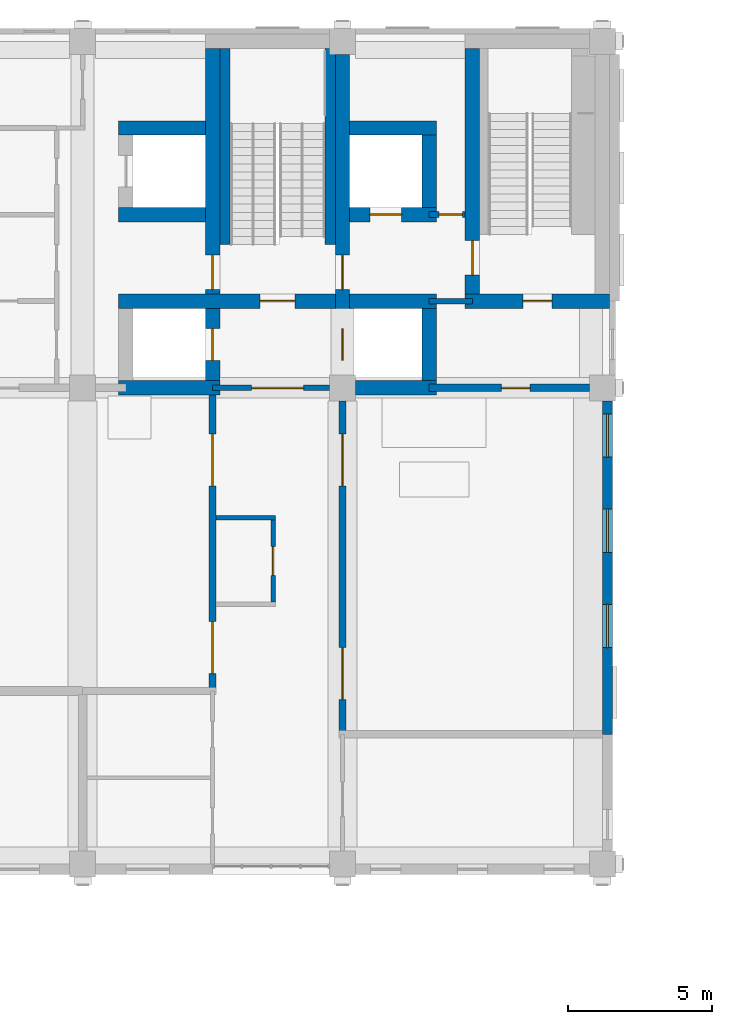
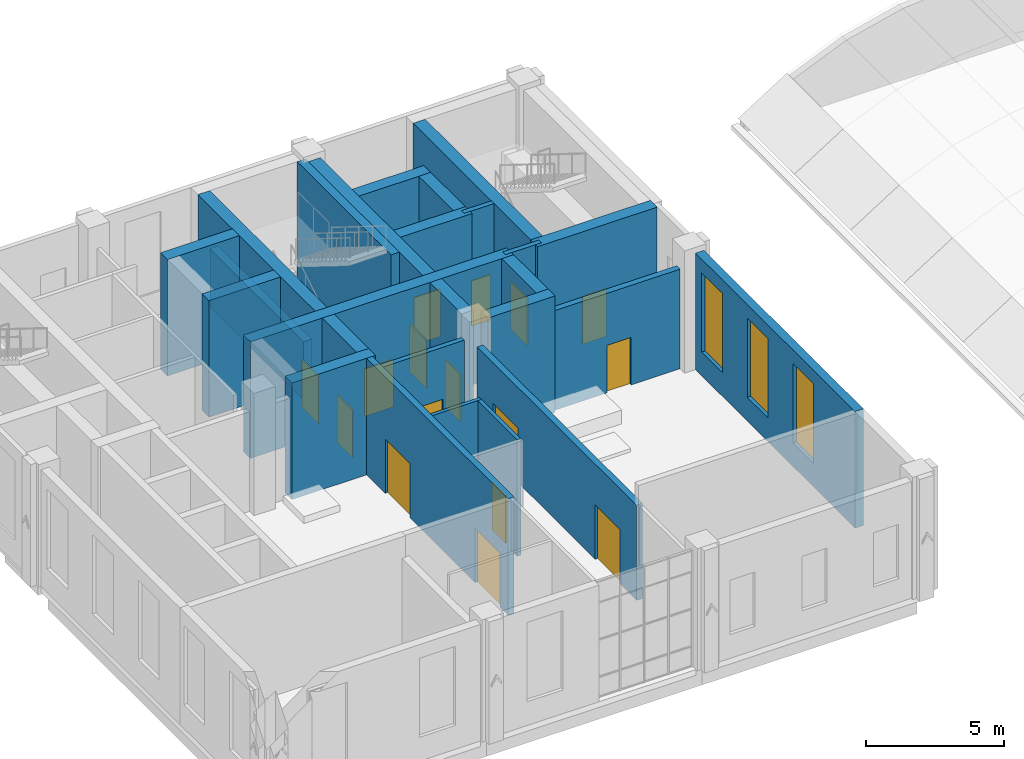
# One storey, part 17 of 25: 24 walls, 16 doors, 3 windows, 19 openings.
"""IFC4 building model written with IfcOpenShell, lengths in metres."""

from ifc_helpers import new_model, si_unit, direction, frame, frame_2d, origin, place, context, subcontext, project, spatial, rectangle, extrude, material, layer, layer_set, type_object, element, fill, save


model = new_model("IFC4")

# Units and contexts
model_context = context("Model", 3, precision=1e-05, world=origin(), true_north=direction((0.0, 1.0)))
body_context = subcontext(model_context, "Body", "Model", "MODEL_VIEW")
ifc_project = project(units=[si_unit("LENGTHUNIT", "METRE"), si_unit("AREAUNIT", "SQUARE_METRE"), si_unit("VOLUMEUNIT", "CUBIC_METRE"), si_unit("PLANEANGLEUNIT", "RADIAN"), si_unit("MASSUNIT", "GRAM", prefix="KILO")], contexts=[model_context])

# Site, building, storey
site_placement = place(None, origin())
site = spatial("IfcSite", under=ifc_project, at=site_placement, CompositionType="ELEMENT")
building_placement = place(site_placement, origin())
building = spatial("IfcBuilding", under=site, at=building_placement, Name="Aurelan Courthouse", CompositionType="ELEMENT")
storey_placement = place(building_placement, frame((0.0, 0.0, 33.60009765625)))
storey = spatial("IfcBuildingStorey", under=building, at=storey_placement, Name="L06", CompositionType="ELEMENT", Elevation=33.60009765625)

# Wall
ifc_material_1 = material(Name="Gypsum board on metal studs")
ifc_layer_1 = layer(ifc_material_1, 0.14990234375)
ifc_layer_set_1 = layer_set([ifc_layer_1], Name="Gypsum board on metal studs")
wall_type_1 = type_object("IfcWallType", Name="Corridor partition 150 EI 60", PredefinedType="PARTITIONING", material=ifc_layer_set_1)
wall_1_placement = place(storey_placement, frame((49.625, 49.5, 0.0), z_axis=(0.0, 0.0, 1.0), x_axis=(1.0, 0.0, 0.0)))
element("IfcWall", 1, at=wall_1_placement, inside=storey, type_object=wall_type_1, Name="Corridor partition L06-019", PredefinedType="PARTITIONING", context=body_context, shape_type="SweptSolid", body=[
    extrude(rectangle(XDim=2.050048828125, YDim=0.14990234375, at=frame_2d((1.02490234375, 0.0))), origin(), (0.0, 0.0, 1.0), 5.14990234375),
])

# Wall, opening, door
wall_2_placement = place(storey_placement, frame((51.60009765625, 46.574951171875, 0.0), z_axis=(0.0, 0.0, 1.0), x_axis=(0.0, 1.0, 0.0)))
wall_2 = element("IfcWall", 2, at=wall_2_placement, inside=storey, type_object=wall_type_1, Name="Corridor partition L06-046", PredefinedType="PARTITIONING", context=body_context, shape_type="SweptSolid", body=[
    extrude(rectangle(XDim=2.85009765625, YDim=0.14990234375, at=frame_2d((1.425048828125, 0.0))), origin(), (0.0, 0.0, 1.0), 5.14990234375),
])
opening_1_placement = place(wall_2_placement, frame((0.925048828125, 0.0, 0.0)))
opening_1 = element("IfcOpeningElement", 3, at=opening_1_placement, cuts=wall_2, Name="Opening D-L06-013", PredefinedType="OPENING", context=body_context, shape_type="SweptSolid", body=[
    extrude(rectangle(XDim=1.0, YDim=2.10009765625, at=frame_2d((0.5, 1.050048828125))), frame((0.0, 0.0849609375, 0.0), z_axis=(0.0, -1.0, 0.0), x_axis=(1.0, 0.0, 0.0)), (0.0, 0.0, 1.0), 0.169921875),
])
ifc_material_2 = material(Name="Steel", Category="steel")
door_type_1 = type_object("IfcDoorType", Name="Single door 1000 x 2100 FD60", OperationType="SINGLE_SWING_LEFT", PredefinedType="DOOR", material=ifc_material_2)
door_1_placement = place(opening_1_placement, origin())
door_1 = element("IfcDoor", 4, at=door_1_placement, inside=storey, type_object=door_type_1, Name="Single door D-L06-013", OperationType="SINGLE_SWING_RIGHT", OverallHeight=2.10009765625, OverallWidth=1.0, PredefinedType="DOOR", context=body_context, shape_type="SweptSolid", body=[
    extrude(rectangle(XDim=1.0, YDim=2.10009765625, at=frame_2d((0.5, 1.050048828125))), frame((0.0, 0.02490234375, 0.0), z_axis=(0.0, -1.0, 0.0), x_axis=(1.0, 0.0, 0.0)), (0.0, 0.0, 1.0), 0.050048828125),
])
fill(opening_1, door_1)

# Wall, openings, windows
ifc_material_3 = material(Name="Limestone cladding", Category="masonry")
ifc_layer_2 = layer(ifc_material_3, 0.10009765625, Name="Facing")
ifc_material_4 = material(Name="Ventilated cavity")
ifc_layer_3 = layer(ifc_material_4, 0.02490234375, ventilated=True, Name="Ventilated cavity")
ifc_material_5 = material(Name="Mineral wool insulation")
ifc_layer_4 = layer(ifc_material_5, 0.050048828125, Name="Insulation")
ifc_material_6 = material(Name="Concrete C30", Category="concrete")
ifc_layer_5 = layer(ifc_material_6, 0.175048828125, Name="Structure")
ifc_layer_set_2 = layer_set([ifc_layer_2, ifc_layer_3, ifc_layer_4, ifc_layer_5], Name="Concrete C30")
wall_type_2 = type_object("IfcWallType", Name="Courtroom Block stone-faced wall 350", PredefinedType="SOLIDWALL", material=ifc_layer_set_2)
wall_3_placement = place(storey_placement, frame((63.175048828125, 42.0, 0.0), z_axis=(0.0, 0.0, 1.0), x_axis=(0.0, 1.0, 0.0)))
wall_3 = element("IfcWall", 5, at=wall_3_placement, inside=storey, type_object=wall_type_2, Name="Facade wall FW-V2-L06-008", PredefinedType="SOLIDWALL", context=body_context, shape_type="SweptSolid", body=[
    extrude(rectangle(XDim=11.550048828125, YDim=0.35009765625, at=frame_2d((5.77490234375, 0.0))), origin(), (0.0, 0.0, 1.0), 5.14990234375),
])
opening_2_placement = place(wall_3_placement, frame((3.0, 0.0, 1.050048828125)))
opening_2 = element("IfcOpeningElement", 6, at=opening_2_placement, cuts=wall_3, Name="Opening WN-V2-L06-010", PredefinedType="OPENING", context=body_context, shape_type="SweptSolid", body=[
    extrude(rectangle(XDim=1.5, YDim=3.5, at=frame_2d((0.75, 1.75))), frame((0.0, 0.18505859375, 0.0), z_axis=(0.0, -1.0, 0.0), x_axis=(1.0, 0.0, 0.0)), (0.0, 0.0, 1.0), 0.3701171875),
])
opening_3_placement = place(wall_3_placement, frame((6.300048828125, 0.0, 1.050048828125)))
opening_3 = element("IfcOpeningElement", 7, at=opening_3_placement, cuts=wall_3, Name="Opening WN-V2-L06-011", PredefinedType="OPENING", context=body_context, shape_type="SweptSolid", body=[
    extrude(rectangle(XDim=1.5, YDim=3.5, at=frame_2d((0.75, 1.75))), frame((0.0, 0.18505859375, 0.0), z_axis=(0.0, -1.0, 0.0), x_axis=(1.0, 0.0, 0.0)), (0.0, 0.0, 1.0), 0.3701171875),
])
opening_4_placement = place(wall_3_placement, frame((9.60009765625, 0.0, 1.050048828125)))
opening_4 = element("IfcOpeningElement", 8, at=opening_4_placement, cuts=wall_3, Name="Opening WN-V2-L06-012", PredefinedType="OPENING", context=body_context, shape_type="SweptSolid", body=[
    extrude(rectangle(XDim=1.5, YDim=3.5, at=frame_2d((0.75, 1.75))), frame((0.0, 0.18505859375, 0.0), z_axis=(0.0, -1.0, 0.0), x_axis=(1.0, 0.0, 0.0)), (0.0, 0.0, 1.0), 0.3701171875),
])
ifc_material_7 = material(Name="Bronze-finished aluminium and glass", Category="aluminium")
window_type = type_object("IfcWindowType", Name="Courtroom Block glazed slot 1500 x 3500, sill 1050", PartitioningType="SINGLE_PANEL", PredefinedType="WINDOW", material=ifc_material_7)
window_1_placement = place(opening_2_placement, origin())
window_1 = element("IfcWindow", 9, at=window_1_placement, inside=storey, type_object=window_type, Name="Glazed slot WN-V2-L06-010", OverallHeight=3.5, OverallWidth=1.5, PartitioningType="SINGLE_PANEL", PredefinedType="WINDOW", context=body_context, shape_type="SweptSolid", body=[
    extrude(rectangle(XDim=1.5, YDim=3.5, at=frame_2d((0.75, 1.75))), frame((0.0, 0.030029296875, 0.0), z_axis=(0.0, -1.0, 0.0), x_axis=(1.0, 0.0, 0.0)), (0.0, 0.0, 1.0), 0.06005859375),
])
fill(opening_2, window_1)
window_2_placement = place(opening_3_placement, origin())
window_2 = element("IfcWindow", 10, at=window_2_placement, inside=storey, type_object=window_type, Name="Glazed slot WN-V2-L06-011", OverallHeight=3.5, OverallWidth=1.5, PartitioningType="SINGLE_PANEL", PredefinedType="WINDOW", context=body_context, shape_type="SweptSolid", body=[
    extrude(rectangle(XDim=1.5, YDim=3.5, at=frame_2d((0.75, 1.75))), frame((0.0, 0.030029296875, 0.0), z_axis=(0.0, -1.0, 0.0), x_axis=(1.0, 0.0, 0.0)), (0.0, 0.0, 1.0), 0.06005859375),
])
fill(opening_3, window_2)
window_3_placement = place(opening_4_placement, origin())
window_3 = element("IfcWindow", 11, at=window_3_placement, inside=storey, type_object=window_type, Name="Glazed slot WN-V2-L06-012", OverallHeight=3.5, OverallWidth=1.5, PartitioningType="SINGLE_PANEL", PredefinedType="WINDOW", context=body_context, shape_type="SweptSolid", body=[
    extrude(rectangle(XDim=1.5, YDim=3.5, at=frame_2d((0.75, 1.75))), frame((0.0, 0.030029296875, 0.0), z_axis=(0.0, -1.0, 0.0), x_axis=(1.0, 0.0, 0.0)), (0.0, 0.0, 1.0), 0.06005859375),
])
fill(opening_4, window_3)

# Wall, opening, door
ifc_material_8 = material(Name="Masonry block", Category="masonry")
ifc_layer_6 = layer(ifc_material_8, 0.25)
ifc_layer_set_3 = layer_set([ifc_layer_6], Name="Masonry block")
wall_type_3 = type_object("IfcWallType", Name="Courtroom wall 250 EI 60", PredefinedType="PARTITIONING", material=ifc_layer_set_3)
wall_4_placement = place(storey_placement, frame((57.0, 54.0, 0.0), z_axis=(0.0, 0.0, 1.0), x_axis=(1.0, 0.0, 0.0)))
wall_4 = element("IfcWall", 12, at=wall_4_placement, inside=storey, type_object=wall_type_3, Name="Courtroom wall L06-024", PredefinedType="PARTITIONING", context=body_context, shape_type="SweptSolid", body=[
    extrude(rectangle(XDim=5.550048828125, YDim=0.25, at=frame_2d((2.77490234375, 0.0))), origin(), (0.0, 0.0, 1.0), 4.39990234375),
])
opening_5_placement = place(wall_4_placement, frame((2.5, 0.0, 0.0)))
opening_5 = element("IfcOpeningElement", 13, at=opening_5_placement, cuts=wall_4, Name="Opening D-L06-034", PredefinedType="OPENING", context=body_context, shape_type="SweptSolid", body=[
    extrude(rectangle(XDim=1.0, YDim=2.10009765625, at=frame_2d((0.5, 1.050048828125))), frame((0.0, 0.135009765625, 0.0), z_axis=(0.0, -1.0, 0.0), x_axis=(1.0, 0.0, 0.0)), (0.0, 0.0, 1.0), 0.27001953125),
])
door_type_2 = type_object("IfcDoorType", Name="Single door 1000 x 2100 FD30", OperationType="SINGLE_SWING_LEFT", PredefinedType="DOOR", material=ifc_material_2)
door_2_placement = place(opening_5_placement, origin())
door_2 = element("IfcDoor", 14, at=door_2_placement, inside=storey, type_object=door_type_2, Name="Single door D-L06-034", OperationType="SINGLE_SWING_LEFT", OverallHeight=2.10009765625, OverallWidth=1.0, PredefinedType="DOOR", context=body_context, shape_type="SweptSolid", body=[
    extrude(rectangle(XDim=1.0, YDim=2.10009765625, at=frame_2d((0.5, 1.050048828125))), frame((0.0, 0.02490234375, 0.0), z_axis=(0.0, -1.0, 0.0), x_axis=(1.0, 0.0, 0.0)), (0.0, 0.0, 1.0), 0.050048828125),
])
fill(opening_5, door_2)

# Wall, openings, doors
wall_5_placement = place(storey_placement, frame((49.5, 43.5, 0.0), z_axis=(0.0, 0.0, 1.0), x_axis=(0.0, 1.0, 0.0)))
wall_5 = element("IfcWall", 15, at=wall_5_placement, inside=storey, type_object=wall_type_3, Name="Courtroom wall L06-045", PredefinedType="PARTITIONING", context=body_context, shape_type="SweptSolid", body=[
    extrude(rectangle(XDim=10.5, YDim=0.25, at=frame_2d((5.25, 0.0))), origin(), (0.0, 0.0, 1.0), 5.14990234375),
])
opening_6_placement = place(wall_5_placement, frame((0.60009765625, 0.0, 0.0)))
opening_6 = element("IfcOpeningElement", 16, at=opening_6_placement, cuts=wall_5, Name="Opening D-L06-014", PredefinedType="OPENING", context=body_context, shape_type="SweptSolid", body=[
    extrude(rectangle(XDim=1.800048828125, YDim=2.39990234375, at=frame_2d((0.89990234375, 1.199951171875))), frame((0.0, 0.135009765625, 0.0), z_axis=(0.0, -1.0, 0.0), x_axis=(1.0, 0.0, 0.0)), (0.0, 0.0, 1.0), 0.27001953125),
])
opening_7_placement = place(wall_5_placement, frame((7.10009765625, 0.0, 0.0)))
opening_7 = element("IfcOpeningElement", 17, at=opening_7_placement, cuts=wall_5, Name="Opening D-L06-015", PredefinedType="OPENING", context=body_context, shape_type="SweptSolid", body=[
    extrude(rectangle(XDim=1.800048828125, YDim=2.39990234375, at=frame_2d((0.89990234375, 1.199951171875))), frame((0.0, 0.135009765625, 0.0), z_axis=(0.0, -1.0, 0.0), x_axis=(1.0, 0.0, 0.0)), (0.0, 0.0, 1.0), 0.27001953125),
])
door_type_3 = type_object("IfcDoorType", Name="Double door 1800 x 2400 FD30", OperationType="DOUBLE_DOOR_SINGLE_SWING", PredefinedType="DOOR", material=ifc_material_2)
door_3_placement = place(opening_6_placement, origin())
door_3 = element("IfcDoor", 18, at=door_3_placement, inside=storey, type_object=door_type_3, Name="Double door D-L06-014", OperationType="DOUBLE_DOOR_SINGLE_SWING", OverallHeight=2.39990234375, OverallWidth=1.800048828125, PredefinedType="DOOR", context=body_context, shape_type="SweptSolid", body=[
    extrude(rectangle(XDim=1.800048828125, YDim=2.39990234375, at=frame_2d((0.89990234375, 1.199951171875))), frame((0.0, 0.02490234375, 0.0), z_axis=(0.0, -1.0, 0.0), x_axis=(1.0, 0.0, 0.0)), (0.0, 0.0, 1.0), 0.050048828125),
])
fill(opening_6, door_3)
door_4_placement = place(opening_7_placement, origin())
door_4 = element("IfcDoor", 19, at=door_4_placement, inside=storey, type_object=door_type_3, Name="Double door D-L06-015", OperationType="DOUBLE_DOOR_SINGLE_SWING", OverallHeight=2.39990234375, OverallWidth=1.800048828125, PredefinedType="DOOR", context=body_context, shape_type="SweptSolid", body=[
    extrude(rectangle(XDim=1.800048828125, YDim=2.39990234375, at=frame_2d((0.89990234375, 1.199951171875))), frame((0.0, 0.02490234375, 0.0), z_axis=(0.0, -1.0, 0.0), x_axis=(1.0, 0.0, 0.0)), (0.0, 0.0, 1.0), 0.050048828125),
])
fill(opening_7, door_4)

wall_6_placement = place(storey_placement, frame((54.0, 42.0, 0.0), z_axis=(0.0, 0.0, 1.0), x_axis=(0.0, 1.0, 0.0)))
wall_6 = element("IfcWall", 20, at=wall_6_placement, inside=storey, type_object=wall_type_3, Name="Courtroom wall L06-048", PredefinedType="PARTITIONING", context=body_context, shape_type="SweptSolid", body=[
    extrude(rectangle(XDim=11.550048828125, YDim=0.25, at=frame_2d((5.77490234375, 0.0))), origin(), (0.0, 0.0, 1.0), 4.199951171875),
])
opening_8_placement = place(wall_6_placement, frame((3.0, 0.0, 0.0), z_axis=(0.0, 0.0, 1.0), x_axis=(-1.0, 0.0, 0.0)))
opening_8 = element("IfcOpeningElement", 21, at=opening_8_placement, cuts=wall_6, Name="Opening D-L06-025", PredefinedType="OPENING", context=body_context, shape_type="SweptSolid", body=[
    extrude(rectangle(XDim=1.800048828125, YDim=2.39990234375, at=frame_2d((0.89990234375, 1.199951171875))), frame((0.0, 0.135009765625, 0.0), z_axis=(0.0, -1.0, 0.0), x_axis=(1.0, 0.0, 0.0)), (0.0, 0.0, 1.0), 0.27001953125),
])
opening_9_placement = place(wall_6_placement, frame((10.400146484375, 0.0, 0.0), z_axis=(0.0, 0.0, 1.0), x_axis=(-1.0, 0.0, 0.0)))
opening_9 = element("IfcOpeningElement", 22, at=opening_9_placement, cuts=wall_6, Name="Opening D-L06-026", PredefinedType="OPENING", context=body_context, shape_type="SweptSolid", body=[
    extrude(rectangle(XDim=1.800048828125, YDim=2.39990234375, at=frame_2d((0.89990234375, 1.199951171875))), frame((0.0, 0.135009765625, 0.0), z_axis=(0.0, -1.0, 0.0), x_axis=(1.0, 0.0, 0.0)), (0.0, 0.0, 1.0), 0.27001953125),
])
door_5_placement = place(opening_8_placement, origin())
door_5 = element("IfcDoor", 23, at=door_5_placement, inside=storey, type_object=door_type_3, Name="Double door D-L06-025", OperationType="DOUBLE_DOOR_SINGLE_SWING", OverallHeight=2.39990234375, OverallWidth=1.800048828125, PredefinedType="DOOR", context=body_context, shape_type="SweptSolid", body=[
    extrude(rectangle(XDim=1.800048828125, YDim=2.39990234375, at=frame_2d((0.89990234375, 1.199951171875))), frame((0.0, 0.02490234375, 0.0), z_axis=(0.0, -1.0, 0.0), x_axis=(1.0, 0.0, 0.0)), (0.0, 0.0, 1.0), 0.050048828125),
])
fill(opening_8, door_5)
door_6_placement = place(opening_9_placement, origin())
door_6 = element("IfcDoor", 24, at=door_6_placement, inside=storey, type_object=door_type_3, Name="Double door D-L06-026", OperationType="DOUBLE_DOOR_SINGLE_SWING", OverallHeight=2.39990234375, OverallWidth=1.800048828125, PredefinedType="DOOR", context=body_context, shape_type="SweptSolid", body=[
    extrude(rectangle(XDim=1.800048828125, YDim=2.39990234375, at=frame_2d((0.89990234375, 1.199951171875))), frame((0.0, 0.02490234375, 0.0), z_axis=(0.0, -1.0, 0.0), x_axis=(1.0, 0.0, 0.0)), (0.0, 0.0, 1.0), 0.050048828125),
])
fill(opening_9, door_6)

# Wall, opening, door
ifc_layer_7 = layer(ifc_material_8, 0.199951171875)
ifc_layer_set_4 = layer_set([ifc_layer_7], Name="Masonry block")
wall_type_4 = type_object("IfcWallType", Name="Lift lobby wall 200 EI 60", PredefinedType="PARTITIONING", material=ifc_layer_set_4)
wall_7_placement = place(storey_placement, frame((49.5, 54.0, 0.0), z_axis=(0.0, 0.0, 1.0), x_axis=(1.0, 0.0, 0.0)))
wall_7 = element("IfcWall", 25, at=wall_7_placement, inside=storey, type_object=wall_type_4, Name="Lift lobby wall L06-023", PredefinedType="PARTITIONING", context=body_context, shape_type="SweptSolid", body=[
    extrude(rectangle(XDim=4.050048828125, YDim=0.199951171875, at=frame_2d((2.02490234375, 0.0))), origin(), (0.0, 0.0, 1.0), 4.39990234375),
])
opening_10_placement = place(wall_7_placement, frame((1.35009765625, 0.0, 0.0)))
opening_10 = element("IfcOpeningElement", 26, at=opening_10_placement, cuts=wall_7, Name="Opening D-L06-012", PredefinedType="OPENING", context=body_context, shape_type="SweptSolid", body=[
    extrude(rectangle(XDim=1.800048828125, YDim=2.10009765625, at=frame_2d((0.89990234375, 1.050048828125))), frame((0.0, 0.10986328125, 0.0), z_axis=(0.0, -1.0, 0.0), x_axis=(1.0, 0.0, 0.0)), (0.0, 0.0, 1.0), 0.219970703125),
])
door_type_4 = type_object("IfcDoorType", Name="Double door 1800 x 2100 FD60", OperationType="DOUBLE_DOOR_SINGLE_SWING", PredefinedType="DOOR", material=ifc_material_2)
door_7_placement = place(opening_10_placement, origin())
door_7 = element("IfcDoor", 27, at=door_7_placement, inside=storey, type_object=door_type_4, Name="Double door D-L06-012", OperationType="DOUBLE_DOOR_SINGLE_SWING", OverallHeight=2.10009765625, OverallWidth=1.800048828125, PredefinedType="DOOR", context=body_context, shape_type="SweptSolid", body=[
    extrude(rectangle(XDim=1.800048828125, YDim=2.10009765625, at=frame_2d((0.89990234375, 1.050048828125))), frame((0.0, 0.02490234375, 0.0), z_axis=(0.0, -1.0, 0.0), x_axis=(1.0, 0.0, 0.0)), (0.0, 0.0, 1.0), 0.050048828125),
])
fill(opening_10, door_7)

# Walls
wall_8_placement = place(storey_placement, frame((57.0, 57.0, 0.0), z_axis=(0.0, 0.0, 1.0), x_axis=(1.0, 0.0, 0.0)))
element("IfcWall", 28, at=wall_8_placement, inside=storey, type_object=wall_type_4, Name="Lift lobby wall L06-026", PredefinedType="PARTITIONING", context=body_context, shape_type="SweptSolid", body=[
    extrude(rectangle(XDim=1.5, YDim=0.199951171875, at=frame_2d((0.75, 0.0))), origin(), (0.0, 0.0, 1.0), 5.14990234375),
])
ifc_material_9 = material(Name="Concrete C50", Category="concrete")
ifc_layer_8 = layer(ifc_material_9, 0.5)
ifc_layer_set_5 = layer_set([ifc_layer_8], Name="Concrete C50")
wall_type_5 = type_object("IfcWallType", Name="RC shear wall 500", PredefinedType="SHEAR", material=ifc_layer_set_5)
wall_9_placement = place(storey_placement, frame((46.25, 54.0, 0.0), z_axis=(0.0, 0.0, 1.0), x_axis=(1.0, 0.0, 0.0)))
element("IfcWall", 29, at=wall_9_placement, inside=storey, type_object=wall_type_5, Name="Core wall SW-L06-017", PredefinedType="SHEAR", context=body_context, shape_type="SweptSolid", body=[
    extrude(rectangle(XDim=3.5, YDim=0.5, at=frame_2d((1.75, 0.0))), origin(), (0.0, 0.0, 1.0), 5.14990234375),
])
wall_10_placement = place(storey_placement, frame((54.449951171875, 54.0, 0.0), z_axis=(0.0, 0.0, 1.0), x_axis=(1.0, 0.0, 0.0)))
element("IfcWall", 30, at=wall_10_placement, inside=storey, type_object=wall_type_5, Name="Core wall SW-L06-018", PredefinedType="SHEAR", context=body_context, shape_type="SweptSolid", body=[
    extrude(rectangle(XDim=2.800048828125, YDim=0.5, at=frame_2d((1.39990234375, 0.0))), origin(), (0.0, 0.0, 1.0), 5.14990234375),
])

# Wall, openings, doors
wall_11_placement = place(storey_placement, frame((49.5, 54.25, 0.0), z_axis=(0.0, 0.0, 1.0), x_axis=(0.0, 1.0, 0.0)))
wall_11 = element("IfcWall", 31, at=wall_11_placement, inside=storey, type_object=wall_type_5, Name="Core wall SW-L06-022", PredefinedType="SHEAR", context=body_context, shape_type="SweptSolid", body=[
    extrude(rectangle(XDim=11.5, YDim=0.5, at=frame_2d((5.75, 0.0))), origin(), (0.0, 0.0, 1.0), 5.14990234375),
])
opening_11_placement = place(wall_11_placement, frame((0.699951171875, 0.0, 0.0)))
opening_11 = element("IfcOpeningElement", 32, at=opening_11_placement, cuts=wall_11, Name="Opening LD-V2-P1-L06", PredefinedType="OPENING", context=body_context, shape_type="SweptSolid", body=[
    extrude(rectangle(XDim=1.10009765625, YDim=2.10009765625, at=frame_2d((0.550048828125, 1.050048828125))), frame((0.0, 0.260009765625, 0.0), z_axis=(0.0, -1.0, 0.0), x_axis=(1.0, 0.0, 0.0)), (0.0, 0.0, 1.0), 0.52001953125),
])
opening_12_placement = place(wall_11_placement, frame((4.349853515625, 0.0, 0.0), z_axis=(0.0, 0.0, 1.0), x_axis=(-1.0, 0.0, 0.0)))
opening_12 = element("IfcOpeningElement", 33, at=opening_12_placement, cuts=wall_11, Name="Opening D-L06-011", PredefinedType="OPENING", context=body_context, shape_type="SweptSolid", body=[
    extrude(rectangle(XDim=1.199951171875, YDim=2.10009765625, at=frame_2d((0.60009765625, 1.050048828125))), frame((0.0, 0.260009765625, 0.0), z_axis=(0.0, -1.0, 0.0), x_axis=(1.0, 0.0, 0.0)), (0.0, 0.0, 1.0), 0.52001953125),
])
door_type_5 = type_object("IfcDoorType", Name="Lift landing door 1100 x 2100 FD90", OperationType="SLIDING_TO_LEFT", PredefinedType="DOOR", material=ifc_material_2)
door_8_placement = place(opening_11_placement, origin())
door_8 = element("IfcDoor", 34, at=door_8_placement, inside=storey, type_object=door_type_5, Name="Lift landing door LD-V2-P1-L06", OperationType="SLIDING_TO_LEFT", OverallHeight=2.10009765625, OverallWidth=1.10009765625, PredefinedType="DOOR", context=body_context, shape_type="SweptSolid", body=[
    extrude(rectangle(XDim=1.10009765625, YDim=2.10009765625, at=frame_2d((0.550048828125, 1.050048828125))), frame((0.0, 0.02490234375, 0.0), z_axis=(0.0, -1.0, 0.0), x_axis=(1.0, 0.0, 0.0)), (0.0, 0.0, 1.0), 0.050048828125),
])
fill(opening_11, door_8)
door_type_6 = type_object("IfcDoorType", Name="Single door 1200 x 2100 FD90", OperationType="SINGLE_SWING_LEFT", PredefinedType="DOOR", material=ifc_material_2)
door_9_placement = place(opening_12_placement, origin())
door_9 = element("IfcDoor", 35, at=door_9_placement, inside=storey, type_object=door_type_6, Name="Single door D-L06-011", OperationType="SINGLE_SWING_RIGHT", OverallHeight=2.10009765625, OverallWidth=1.199951171875, PredefinedType="DOOR", context=body_context, shape_type="SweptSolid", body=[
    extrude(rectangle(XDim=1.199951171875, YDim=2.10009765625, at=frame_2d((0.60009765625, 1.050048828125))), frame((0.0, 0.02490234375, 0.0), z_axis=(0.0, -1.0, 0.0), x_axis=(1.0, 0.0, 0.0)), (0.0, 0.0, 1.0), 0.050048828125),
])
fill(opening_12, door_9)

# Wall
wall_12_placement = place(storey_placement, frame((57.0, 54.25, 0.0), z_axis=(0.0, 0.0, 1.0), x_axis=(0.0, 1.0, 0.0)))
element("IfcWall", 36, at=wall_12_placement, inside=storey, type_object=wall_type_5, Name="Core wall SW-L06-023", PredefinedType="SHEAR", context=body_context, shape_type="SweptSolid", body=[
    extrude(rectangle(XDim=2.5, YDim=0.5, at=frame_2d((1.25, 0.0))), origin(), (0.0, 0.0, 1.0), 5.14990234375),
])

# Wall, openings, doors
wall_13_placement = place(storey_placement, frame((54.0, 54.449951171875, 0.0), z_axis=(0.0, 0.0, 1.0), x_axis=(0.0, 1.0, 0.0)))
wall_13 = element("IfcWall", 37, at=wall_13_placement, inside=storey, type_object=wall_type_5, Name="Core wall SW-L06-024", PredefinedType="SHEAR", context=body_context, shape_type="SweptSolid", body=[
    extrude(rectangle(XDim=11.10009765625, YDim=0.5, at=frame_2d((5.550048828125, 0.0))), origin(), (0.0, 0.0, 1.0), 5.14990234375),
])
opening_13_placement = place(wall_13_placement, frame((0.5, 0.0, 0.0)))
opening_13 = element("IfcOpeningElement", 38, at=opening_13_placement, cuts=wall_13, Name="Opening LD-V2-P2-L06", PredefinedType="OPENING", context=body_context, shape_type="SweptSolid", body=[
    extrude(rectangle(XDim=1.10009765625, YDim=2.10009765625, at=frame_2d((0.550048828125, 1.050048828125))), frame((0.0, 0.260009765625, 0.0), z_axis=(0.0, -1.0, 0.0), x_axis=(1.0, 0.0, 0.0)), (0.0, 0.0, 1.0), 0.52001953125),
])
opening_14_placement = place(wall_13_placement, frame((2.949951171875, 0.0, 0.0)))
opening_14 = element("IfcOpeningElement", 39, at=opening_14_placement, cuts=wall_13, Name="Opening D-L06-007", PredefinedType="OPENING", context=body_context, shape_type="SweptSolid", body=[
    extrude(rectangle(XDim=1.199951171875, YDim=2.10009765625, at=frame_2d((0.60009765625, 1.050048828125))), frame((0.0, 0.260009765625, 0.0), z_axis=(0.0, -1.0, 0.0), x_axis=(1.0, 0.0, 0.0)), (0.0, 0.0, 1.0), 0.52001953125),
])
door_10_placement = place(opening_13_placement, origin())
door_10 = element("IfcDoor", 40, at=door_10_placement, inside=storey, type_object=door_type_5, Name="Lift landing door LD-V2-P2-L06", OperationType="SLIDING_TO_LEFT", OverallHeight=2.10009765625, OverallWidth=1.10009765625, PredefinedType="DOOR", context=body_context, shape_type="SweptSolid", body=[
    extrude(rectangle(XDim=1.10009765625, YDim=2.10009765625, at=frame_2d((0.550048828125, 1.050048828125))), frame((0.0, 0.02490234375, 0.0), z_axis=(0.0, -1.0, 0.0), x_axis=(1.0, 0.0, 0.0)), (0.0, 0.0, 1.0), 0.050048828125),
])
fill(opening_13, door_10)
door_11_placement = place(opening_14_placement, origin())
door_11 = element("IfcDoor", 41, at=door_11_placement, inside=storey, type_object=door_type_6, Name="Single door D-L06-007", OperationType="SINGLE_SWING_LEFT", OverallHeight=2.10009765625, OverallWidth=1.199951171875, PredefinedType="DOOR", context=body_context, shape_type="SweptSolid", body=[
    extrude(rectangle(XDim=1.199951171875, YDim=2.10009765625, at=frame_2d((0.60009765625, 1.050048828125))), frame((0.0, 0.02490234375, 0.0), z_axis=(0.0, -1.0, 0.0), x_axis=(1.0, 0.0, 0.0)), (0.0, 0.0, 1.0), 0.050048828125),
])
fill(opening_14, door_11)

# Wall, opening, door
wall_14_placement = place(storey_placement, frame((46.25, 57.0, 0.0), z_axis=(0.0, 0.0, 1.0), x_axis=(1.0, 0.0, 0.0)))
wall_14 = element("IfcWall", 42, at=wall_14_placement, inside=storey, type_object=wall_type_5, Name="Core wall SW-L06-026", PredefinedType="SHEAR", context=body_context, shape_type="SweptSolid", body=[
    extrude(rectangle(XDim=11.0, YDim=0.5, at=frame_2d((5.5, 0.0))), origin(), (0.0, 0.0, 1.0), 5.14990234375),
])
opening_15_placement = place(wall_14_placement, frame((4.89990234375, 0.0, 0.0)))
opening_15 = element("IfcOpeningElement", 43, at=opening_15_placement, cuts=wall_14, Name="Opening D-L06-005", PredefinedType="OPENING", context=body_context, shape_type="SweptSolid", body=[
    extrude(rectangle(XDim=1.199951171875, YDim=2.10009765625, at=frame_2d((0.60009765625, 1.050048828125))), frame((0.0, 0.260009765625, 0.0), z_axis=(0.0, -1.0, 0.0), x_axis=(1.0, 0.0, 0.0)), (0.0, 0.0, 1.0), 0.52001953125),
])
door_12_placement = place(opening_15_placement, origin())
door_12 = element("IfcDoor", 44, at=door_12_placement, inside=storey, type_object=door_type_6, Name="Single door D-L06-005", OperationType="SINGLE_SWING_RIGHT", OverallHeight=2.10009765625, OverallWidth=1.199951171875, PredefinedType="DOOR", context=body_context, shape_type="SweptSolid", body=[
    extrude(rectangle(XDim=1.199951171875, YDim=2.10009765625, at=frame_2d((0.60009765625, 1.050048828125))), frame((0.0, 0.02490234375, 0.0), z_axis=(0.0, -1.0, 0.0), x_axis=(1.0, 0.0, 0.0)), (0.0, 0.0, 1.0), 0.050048828125),
])
fill(opening_15, door_12)

wall_15_placement = place(storey_placement, frame((58.25, 57.0, 0.0), z_axis=(0.0, 0.0, 1.0), x_axis=(1.0, 0.0, 0.0)))
wall_15 = element("IfcWall", 45, at=wall_15_placement, inside=storey, type_object=wall_type_5, Name="Core wall SW-L06-027", PredefinedType="SHEAR", context=body_context, shape_type="SweptSolid", body=[
    extrude(rectangle(XDim=5.0, YDim=0.5, at=frame_2d((2.5, 0.0))), origin(), (0.0, 0.0, 1.0), 5.14990234375),
])
opening_16_placement = place(wall_15_placement, frame((2.0, 0.0, 0.0)))
opening_16 = element("IfcOpeningElement", 46, at=opening_16_placement, cuts=wall_15, Name="Opening D-L06-033", PredefinedType="OPENING", context=body_context, shape_type="SweptSolid", body=[
    extrude(rectangle(XDim=1.0, YDim=2.10009765625, at=frame_2d((0.5, 1.050048828125))), frame((0.0, 0.260009765625, 0.0), z_axis=(0.0, -1.0, 0.0), x_axis=(1.0, 0.0, 0.0)), (0.0, 0.0, 1.0), 0.52001953125),
])
door_type_7 = type_object("IfcDoorType", Name="Single door 1000 x 2100 FD90", OperationType="SINGLE_SWING_LEFT", PredefinedType="DOOR", material=ifc_material_2)
door_13_placement = place(opening_16_placement, origin())
door_13 = element("IfcDoor", 47, at=door_13_placement, inside=storey, type_object=door_type_7, Name="Single door D-L06-033", OperationType="SINGLE_SWING_RIGHT", OverallHeight=2.10009765625, OverallWidth=1.0, PredefinedType="DOOR", context=body_context, shape_type="SweptSolid", body=[
    extrude(rectangle(XDim=1.0, YDim=2.10009765625, at=frame_2d((0.5, 1.050048828125))), frame((0.0, 0.02490234375, 0.0), z_axis=(0.0, -1.0, 0.0), x_axis=(1.0, 0.0, 0.0)), (0.0, 0.0, 1.0), 0.050048828125),
])
fill(opening_16, door_13)

wall_16_placement = place(storey_placement, frame((58.5, 57.25, 0.0), z_axis=(0.0, 0.0, 1.0), x_axis=(0.0, 1.0, 0.0)))
wall_16 = element("IfcWall", 48, at=wall_16_placement, inside=storey, type_object=wall_type_5, Name="Core wall SW-L06-029", PredefinedType="SHEAR", context=body_context, shape_type="SweptSolid", body=[
    extrude(rectangle(XDim=8.5, YDim=0.5, at=frame_2d((4.25, 0.0))), origin(), (0.0, 0.0, 1.0), 5.14990234375),
])
opening_17_placement = place(wall_16_placement, frame((1.849853515625, 0.0, 0.0), z_axis=(0.0, 0.0, 1.0), x_axis=(-1.0, 0.0, 0.0)))
opening_17 = element("IfcOpeningElement", 49, at=opening_17_placement, cuts=wall_16, Name="Opening D-L06-008", PredefinedType="OPENING", context=body_context, shape_type="SweptSolid", body=[
    extrude(rectangle(XDim=1.199951171875, YDim=2.10009765625, at=frame_2d((0.60009765625, 1.050048828125))), frame((0.0, 0.260009765625, 0.0), z_axis=(0.0, -1.0, 0.0), x_axis=(1.0, 0.0, 0.0)), (0.0, 0.0, 1.0), 0.52001953125),
])
door_14_placement = place(opening_17_placement, origin())
door_14 = element("IfcDoor", 50, at=door_14_placement, inside=storey, type_object=door_type_6, Name="Single door D-L06-008", OperationType="SINGLE_SWING_RIGHT", OverallHeight=2.10009765625, OverallWidth=1.199951171875, PredefinedType="DOOR", context=body_context, shape_type="SweptSolid", body=[
    extrude(rectangle(XDim=1.199951171875, YDim=2.10009765625, at=frame_2d((0.60009765625, 1.050048828125))), frame((0.0, 0.02490234375, 0.0), z_axis=(0.0, -1.0, 0.0), x_axis=(1.0, 0.0, 0.0)), (0.0, 0.0, 1.0), 0.050048828125),
])
fill(opening_17, door_14)

# Wall
wall_17_placement = place(storey_placement, frame((46.25, 60.0, 0.0), z_axis=(0.0, 0.0, 1.0), x_axis=(1.0, 0.0, 0.0)))
element("IfcWall", 51, at=wall_17_placement, inside=storey, type_object=wall_type_5, Name="Core wall SW-L06-031", PredefinedType="SHEAR", context=body_context, shape_type="SweptSolid", body=[
    extrude(rectangle(XDim=3.0, YDim=0.5, at=frame_2d((1.5, 0.0))), origin(), (0.0, 0.0, 1.0), 5.14990234375),
])

# Wall, opening, door
wall_18_placement = place(storey_placement, frame((54.25, 60.0, 0.0), z_axis=(0.0, 0.0, 1.0), x_axis=(1.0, 0.0, 0.0)))
wall_18 = element("IfcWall", 52, at=wall_18_placement, inside=storey, type_object=wall_type_5, Name="Core wall SW-L06-032", PredefinedType="SHEAR", context=body_context, shape_type="SweptSolid", body=[
    extrude(rectangle(XDim=3.0, YDim=0.5, at=frame_2d((1.5, 0.0))), origin(), (0.0, 0.0, 1.0), 5.14990234375),
])
opening_18_placement = place(wall_18_placement, frame((0.699951171875, 0.0, 0.0)))
opening_18 = element("IfcOpeningElement", 53, at=opening_18_placement, cuts=wall_18, Name="Opening LD-V2-F1-L06", PredefinedType="OPENING", context=body_context, shape_type="SweptSolid", body=[
    extrude(rectangle(XDim=1.10009765625, YDim=2.10009765625, at=frame_2d((0.550048828125, 1.050048828125))), frame((0.0, 0.260009765625, 0.0), z_axis=(0.0, -1.0, 0.0), x_axis=(1.0, 0.0, 0.0)), (0.0, 0.0, 1.0), 0.52001953125),
])
door_15_placement = place(opening_18_placement, origin())
door_15 = element("IfcDoor", 54, at=door_15_placement, inside=storey, type_object=door_type_5, Name="Lift landing door LD-V2-F1-L06", OperationType="SLIDING_TO_LEFT", OverallHeight=2.10009765625, OverallWidth=1.10009765625, PredefinedType="DOOR", context=body_context, shape_type="SweptSolid", body=[
    extrude(rectangle(XDim=1.10009765625, YDim=2.10009765625, at=frame_2d((0.550048828125, 1.050048828125))), frame((0.0, 0.02490234375, 0.0), z_axis=(0.0, -1.0, 0.0), x_axis=(1.0, 0.0, 0.0)), (0.0, 0.0, 1.0), 0.050048828125),
])
fill(opening_18, door_15)

# Walls
wall_19_placement = place(storey_placement, frame((57.0, 60.25, 0.0), z_axis=(0.0, 0.0, 1.0), x_axis=(0.0, 1.0, 0.0)))
element("IfcWall", 55, at=wall_19_placement, inside=storey, type_object=wall_type_5, Name="Core wall SW-L06-034", PredefinedType="SHEAR", context=body_context, shape_type="SweptSolid", body=[
    extrude(rectangle(XDim=2.5, YDim=0.5, at=frame_2d((1.25, 0.0))), origin(), (0.0, 0.0, 1.0), 5.14990234375),
])
for number, where, z_axis, x_axis, name in (
    (56, (46.25, 63.0, 0.0), (0.0, 0.0, 1.0), (1.0, 0.0, 0.0), "Core wall SW-L06-035"),
    (57, (54.25, 63.0, 0.0), (0.0, 0.0, 1.0), (1.0, 0.0, 0.0), "Core wall SW-L06-036"),
):
    element("IfcWall", number, at=place(storey_placement, frame(where, z_axis=z_axis, x_axis=x_axis)), inside=storey, type_object=wall_type_5, Name=name, PredefinedType="SHEAR", context=body_context, shape_type="SweptSolid", body=[
        extrude(rectangle(XDim=3.0, YDim=0.5, at=frame_2d((1.5, 0.0))), origin(), (0.0, 0.0, 1.0), 5.14990234375),
    ])

# Wall, opening, door
ifc_layer_9 = layer(ifc_material_6, 0.199951171875)
ifc_layer_set_6 = layer_set([ifc_layer_9], Name="Concrete C30")
wall_type_6 = type_object("IfcWallType", Name="Shaft wall 200 EI 120 load-bearing", PredefinedType="SHEAR", material=ifc_layer_set_6)
wall_20_placement = place(storey_placement, frame((57.0, 60.0, 0.0), z_axis=(0.0, 0.0, 1.0), x_axis=(1.0, 0.0, 0.0)))
wall_20 = element("IfcWall", 58, at=wall_20_placement, inside=storey, type_object=wall_type_6, Name="Shaft wall L06-028", PredefinedType="SHEAR", context=body_context, shape_type="SweptSolid", body=[
    extrude(rectangle(XDim=1.25, YDim=0.199951171875, at=frame_2d((0.625, 0.0))), origin(), (0.0, 0.0, 1.0), 5.14990234375),
])
opening_19_placement = place(wall_20_placement, frame((1.150146484375, 0.0, 0.0), z_axis=(0.0, 0.0, 1.0), x_axis=(-1.0, 0.0, 0.0)))
opening_19 = element("IfcOpeningElement", 59, at=opening_19_placement, cuts=wall_20, Name="Opening D-L06-009", PredefinedType="OPENING", context=body_context, shape_type="SweptSolid", body=[
    extrude(rectangle(XDim=0.800048828125, YDim=2.0, at=frame_2d((0.39990234375, 1.0))), frame((0.0, 0.10986328125, 0.0), z_axis=(0.0, -1.0, 0.0), x_axis=(1.0, 0.0, 0.0)), (0.0, 0.0, 1.0), 0.219970703125),
])
door_type_8 = type_object("IfcDoorType", Name="Single door 800 x 2000 FD90", OperationType="SINGLE_SWING_LEFT", PredefinedType="DOOR", material=ifc_material_2)
door_16_placement = place(opening_19_placement, origin())
door_16 = element("IfcDoor", 60, at=door_16_placement, inside=storey, type_object=door_type_8, Name="Single door D-L06-009", OperationType="SINGLE_SWING_LEFT", OverallHeight=2.0, OverallWidth=0.800048828125, PredefinedType="DOOR", context=body_context, shape_type="SweptSolid", body=[
    extrude(rectangle(XDim=0.800048828125, YDim=2.0, at=frame_2d((0.39990234375, 1.0))), frame((0.0, 0.02490234375, 0.0), z_axis=(0.0, -1.0, 0.0), x_axis=(1.0, 0.0, 0.0)), (0.0, 0.0, 1.0), 0.050048828125),
])
fill(opening_19, door_16)

# Walls
ifc_layer_10 = layer(ifc_material_6, 0.35009765625)
ifc_layer_set_7 = layer_set([ifc_layer_10], Name="Concrete C30")
wall_type_7 = type_object("IfcWallType", Name="Stair well wall 350 EI 120 load-bearing", PredefinedType="SHEAR", material=ifc_layer_set_7)
wall_21_placement = place(storey_placement, frame((49.925048828125, 58.9599609375, 0.0), z_axis=(0.0, 0.0, 1.0), x_axis=(0.0, 1.0, 0.0)))
element("IfcWall", 61, at=wall_21_placement, inside=storey, type_object=wall_type_7, Name="Stair well wall ST-2A-L06 A", PredefinedType="SHEAR", context=body_context, shape_type="SweptSolid", body=[
    extrude(rectangle(XDim=6.7900390625, YDim=0.35009765625, at=frame_2d((3.39501953125, 0.0))), origin(), (0.0, 0.0, 1.0), 2.5869140625),
])
wall_22_placement = place(storey_placement, frame((53.574951171875, 58.9599609375, 0.0), z_axis=(0.0, 0.0, 1.0), x_axis=(0.0, 1.0, 0.0)))
element("IfcWall", 62, at=wall_22_placement, inside=storey, type_object=wall_type_7, Name="Stair well wall ST-2A-L06 B", PredefinedType="SHEAR", context=body_context, shape_type="SweptSolid", body=[
    extrude(rectangle(XDim=6.7900390625, YDim=0.35009765625, at=frame_2d((3.39501953125, 0.0))), origin(), (0.0, 0.0, 1.0), 5.14990234375),
])

save(model, "model.ifc")
